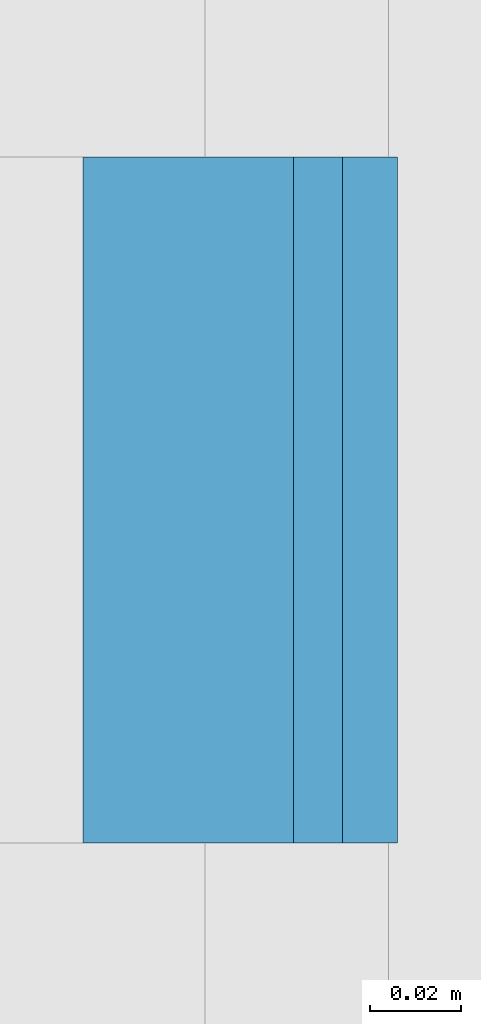
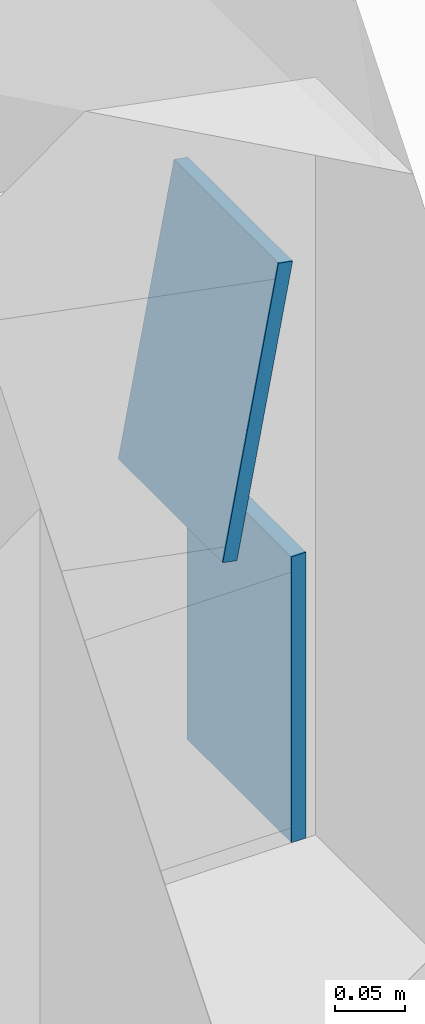
# One storey, part 92 of 118: 2 discrete accessories.
"""IFC4 building model written with IfcOpenShell, lengths in metres."""

from ifc_helpers import new_model, si_unit, direction, frame, origin, origin_2d, place, context, subcontext, project, spatial, rectangle, extrude, material, material_profile, profile_set, type_object, element, save


model = new_model("IFC4")

# Units and contexts
model_context = context("Model", 3, precision=1e-05, world=origin(), true_north=direction((0.0, 1.0)))
body_context = subcontext(model_context, "Body", "Model", "MODEL_VIEW")
ifc_project = project(units=[si_unit("LENGTHUNIT", "METRE"), si_unit("AREAUNIT", "SQUARE_METRE"), si_unit("VOLUMEUNIT", "CUBIC_METRE"), si_unit("PLANEANGLEUNIT", "RADIAN"), si_unit("MASSUNIT", "GRAM", prefix="KILO")], contexts=[model_context])

# Site, building, storey
site_placement = place(None, origin())
site = spatial("IfcSite", under=ifc_project, at=site_placement, CompositionType="ELEMENT")
building_placement = place(site_placement, origin())
building = spatial("IfcBuilding", under=site, at=building_placement, Name="Saffron Lane Theatres", CompositionType="ELEMENT")
storey_placement = place(building_placement, frame((0.0, 0.0, 16.5)))
storey = spatial("IfcBuildingStorey", under=building, at=storey_placement, Name="L03", CompositionType="ELEMENT", Elevation=16.5)

# Discrete accessories
ifc_material = material(Name="Steel Grade 350", Category="steel")
ifc_material_profile = material_profile(ifc_material, rectangle(XDim=0.14990234375, YDim=0.25, at=origin_2d()))
ifc_profile_set = profile_set([ifc_material_profile], Name="Steel Grade 350")
discrete_accessory_type = type_object("IfcDiscreteAccessoryType", Name="ST-STEEL END CAP 250x150x9 RHS", PredefinedType="ANCHORPLATE", material=ifc_profile_set)
for number, where, z_axis, x_axis, name in (
    (1, (53.991943359375, 30.5, 4.625), (-1.0, 0.0, 0.0), (0.0, -1.0, 0.0), "EC517"),
    (2, (53.9580078125, 30.5, 4.885498046875), (-0.982872186934, 0.0, 0.18428853505), (0.0, -1.0, 0.0), "EC519"),
):
    element("IfcDiscreteAccessory", number, at=place(storey_placement, frame(where, z_axis=z_axis, x_axis=x_axis)), inside=storey, type_object=discrete_accessory_type, Name=name, PredefinedType="ANCHORPLATE", context=body_context, shape_type="SweptSolid", body=[
        extrude(rectangle(XDim=0.14990234375, YDim=0.25, at=origin_2d()), origin(), (0.0, 0.0, 1.0), 0.011962890625),
    ])

save(model, "model.ifc")
